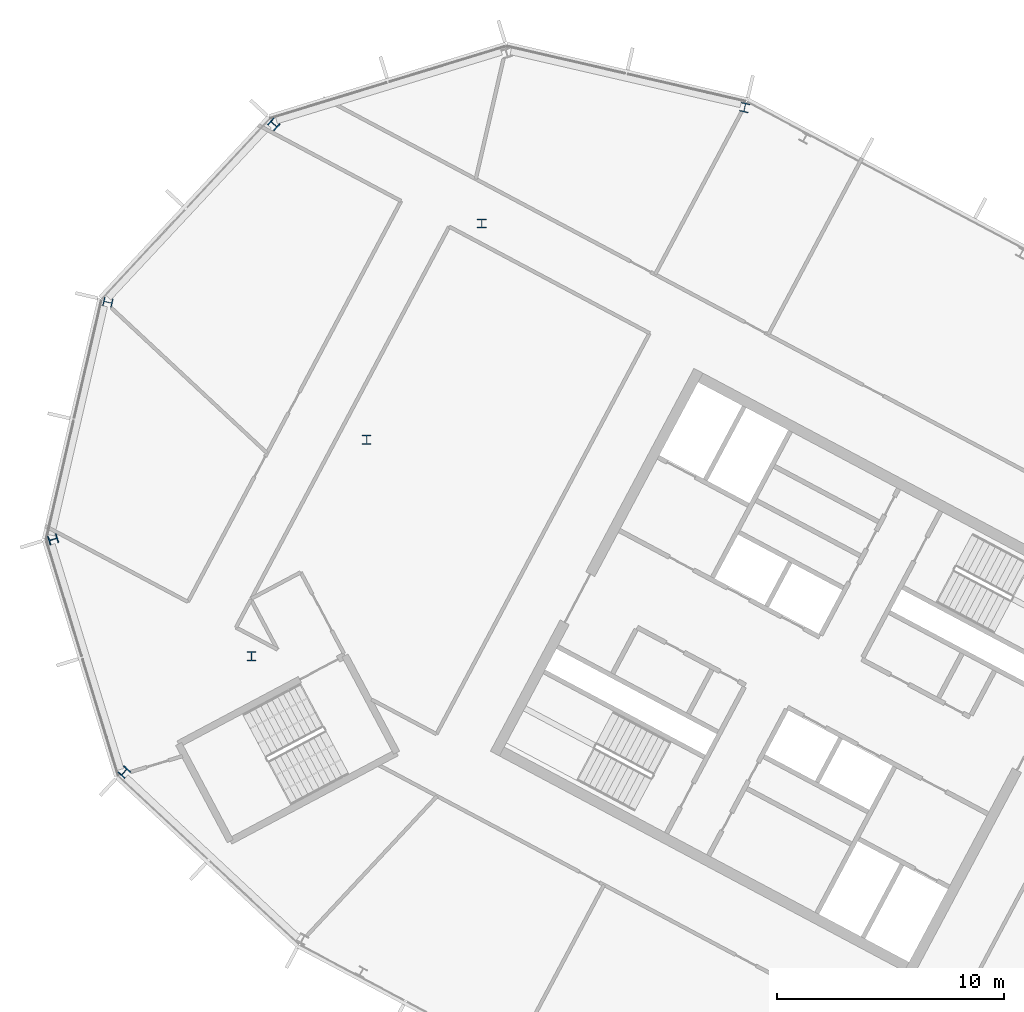
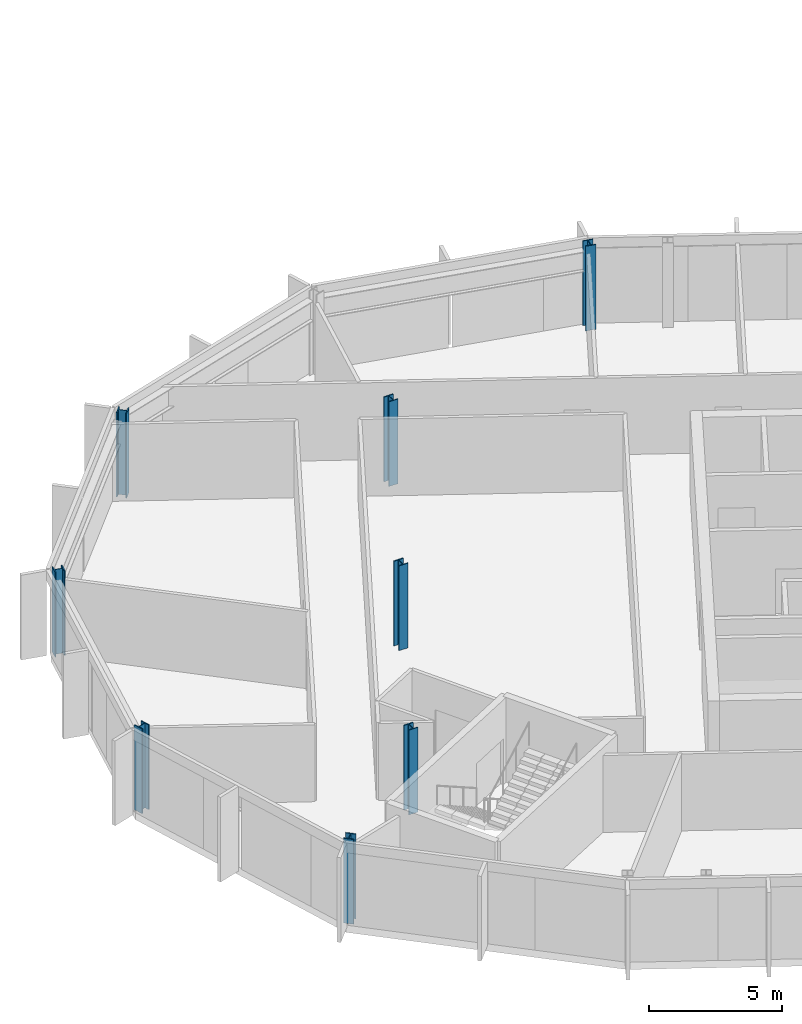
# One storey, part 3 of 25: 8 columns.
"""IFC4 building model written with IfcOpenShell, lengths in metres."""

from ifc_helpers import new_model, si_unit, direction, frame, origin, origin_2d, place, context, subcontext, project, spatial, i_section, extrude, material, material_profile, profile_set, type_object, element, save


model = new_model("IFC4")

# Units and contexts
model_context = context("Model", 3, precision=1e-05, world=origin(), true_north=direction((0.0, 1.0)))
body_context = subcontext(model_context, "Body", "Model", "MODEL_VIEW")
ifc_project = project(units=[si_unit("LENGTHUNIT", "METRE"), si_unit("AREAUNIT", "SQUARE_METRE"), si_unit("VOLUMEUNIT", "CUBIC_METRE"), si_unit("PLANEANGLEUNIT", "RADIAN"), si_unit("MASSUNIT", "GRAM", prefix="KILO")], contexts=[model_context])

# Site, building, storey
site_placement = place(None, origin())
site = spatial("IfcSite", under=ifc_project, at=site_placement, CompositionType="ELEMENT")
building_placement = place(site_placement, origin())
building = spatial("IfcBuilding", under=site, at=building_placement, Name="Cormorant Relay Tower", CompositionType="ELEMENT")
storey_placement = place(building_placement, frame((0.0, 0.0, 297.0)))
storey = spatial("IfcBuildingStorey", under=building, at=storey_placement, Name="L67", CompositionType="ELEMENT", Elevation=297.0)

# Columns
ifc_material = material(Name="Steel ASTM A992 (Fy 345 MPa)", Category="steel")
ifc_material_profile = material_profile(ifc_material, i_section(OverallWidth=0.40380859375, OverallDepth=0.406494140625, WebThickness=0.027099609375, FlangeThickness=0.043701171875, FilletRadius=0.01513671875, at=origin_2d()), Name="W360x347")
ifc_profile_set = profile_set([ifc_material_profile], Name="Steel ASTM A992 (Fy 345 MPa)")
column_type = type_object("IfcColumnType", Name="Column W360x347", PredefinedType="COLUMN", material=ifc_profile_set)
for number, where, z_axis, x_axis, name in (
    (1, (-57.2958984375, 10.152099609375, 0.0), (0.0, 0.0, 1.0), (0.731353701619, -0.681998360062, 0.0), "Column L67-022"),
    (2, (-51.68994140625, 15.251953125, 0.0), (0.0, 0.0, 1.0), (1.0, 0.0, 0.0), "Column L67-026"),
    (3, (-60.429931640625, 20.403076171875, 0.0), (0.0, 0.0, 1.0), (0.292371704723, -0.956304755963, 0.0), "Column L67-028"),
    (4, (-46.6201171875, 24.7880859375, 0.0), (0.0, 0.0, 1.0), (1.0, 0.0, 0.0), "Column L67-030"),
    (5, (-58.01806640625, 30.84912109375, 0.0), (0.0, 0.0, 1.0), (-0.224951054344, -0.974370064785, 0.0), "Column L67-034"),
    (6, (-41.549072265625, 34.323974609375, 0.0), (0.0, 0.0, 1.0), (1.0, 0.0, 0.0), "Column L67-037"),
    (7, (-50.70703125, 38.68896484375, 0.0), (0.0, 0.0, 1.0), (-0.681998360062, -0.731353701619, 0.0), "Column L67-041"),
    (8, (-29.965087890625, 39.425048828125, 0.0), (0.0, 0.0, 1.0), (-0.974370064785, 0.224951054344, 0.0), "Column L67-042"),
):
    element("IfcColumn", number, at=place(storey_placement, frame(where, z_axis=z_axis, x_axis=x_axis)), inside=storey, type_object=column_type, Name=name, PredefinedType="COLUMN", context=body_context, shape_type="SweptSolid", body=[
        extrude(i_section(OverallWidth=0.40380859375, OverallDepth=0.406494140625, WebThickness=0.027099609375, FlangeThickness=0.043701171875, FilletRadius=0.01513671875, at=origin_2d()), origin(), (0.0, 0.0, 1.0), 3.89990234375),
    ])

save(model, "model.ifc")
